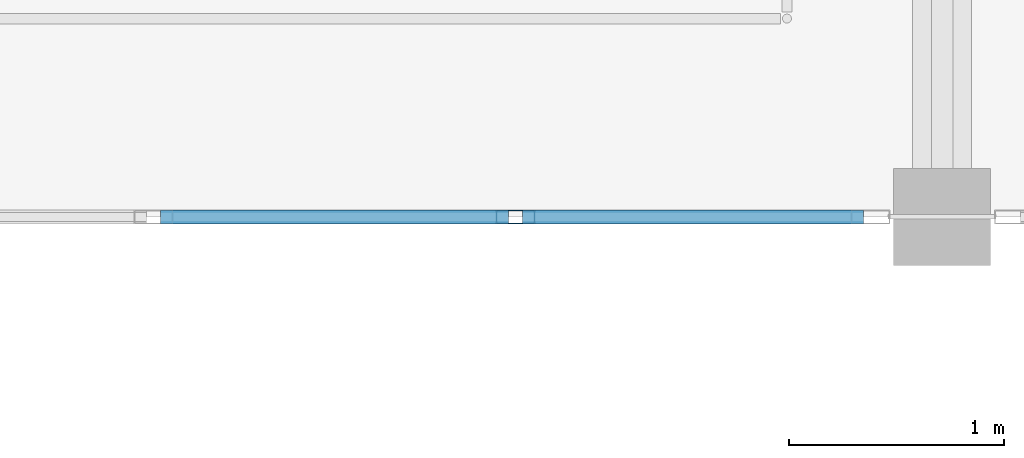
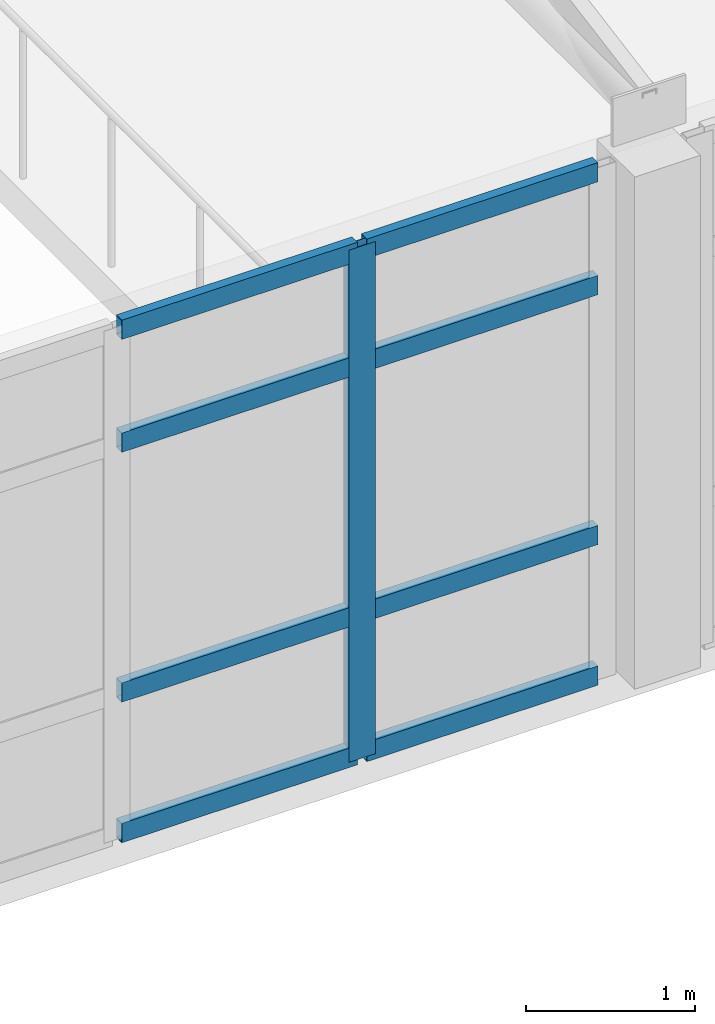
# One storey, part 92 of 156: 9 members, 1 element without a shape of its own.
"""IFC4 building model written with IfcOpenShell, lengths in metres."""

import ifcopenshell
import ifcopenshell.guid

model = None  # the IFC model being written
_history = None  # IfcOwnerHistory: only IFC2X3 demands one
_inside = {}  # id of a spatial element -> (the spatial element, [elements in it])
_under = {}  # id of a project, library or spatial element -> (it, [spatial elements below it])
_declared = {}  # id of a project -> (the project, [libraries it declares])
_typed = {}  # id of a type object -> (the type object, [elements of that type])
_made_of = {}  # id of a material, layer set ... -> (it, [elements and type objects made of it])


def new_model(schema):
    """Start an empty IFC model of exactly this schema.

    Asked for "IFC4X3", IfcOpenShell would pick the latest addendum, in which some entities
    have other attributes; the version numbers below select the first issue.
    IFC2X3 requires an IfcOwnerHistory on every rooted entity: one is made here for all.
    """
    global model, _history
    if schema == "IFC4X3":
        model = ifcopenshell.file(schema_version=(4, 3, 0, 0))
    else:
        model = ifcopenshell.file(schema=schema)
    _inside.clear()
    _under.clear()
    _declared.clear()
    _typed.clear()
    _made_of.clear()
    _history = None
    if model.schema == "IFC2X3":
        org = make("IfcOrganization", Name="unknown")
        user = make(
            "IfcPersonAndOrganization",
            ThePerson=make("IfcPerson", FamilyName="unknown"),
            TheOrganization=org,
        )
        app = make(
            "IfcApplication",
            ApplicationDeveloper=org,
            Version="unknown",
            ApplicationFullName="unknown",
            ApplicationIdentifier="unknown",
        )
        _history = make(
            "IfcOwnerHistory",
            OwningUser=user,
            OwningApplication=app,
            ChangeAction="ADDED",
            CreationDate=0,
        )
    return model


def make(cls, **values):
    """One entity of the class cls with the attributes given. An attribute that is None is left unset."""
    return model.create_entity(
        cls, **{name: value for name, value in values.items() if value is not None}
    )


def rooted(cls, **values):
    """An entity with a GlobalId (a new one), such as an element, a storey or a relation."""
    return make(cls, GlobalId=ifcopenshell.guid.new(), OwnerHistory=_history, **values)


def si_unit(unit_type, name, prefix=None):
    """IfcSIUnit, for example si_unit("LENGTHUNIT", "METRE", prefix="MILLI")."""
    return make("IfcSIUnit", UnitType=unit_type, Prefix=prefix, Name=name)


def assignment(units):
    """IfcUnitAssignment: the units of a project."""
    return None if units is None else make("IfcUnitAssignment", Units=units)


def point(xyz):
    """IfcCartesianPoint."""
    return None if xyz is None else make("IfcCartesianPoint", Coordinates=xyz)


def direction(xyz):
    """IfcDirection."""
    return None if xyz is None else make("IfcDirection", DirectionRatios=xyz)


def frame(location, z_axis=None, x_axis=None):
    """IfcAxis2Placement3D, a coordinate frame: its origin and axes. An axis left out is left unset."""
    return make(
        "IfcAxis2Placement3D",
        Location=point(location),
        Axis=direction(z_axis),
        RefDirection=direction(x_axis),
    )


def frame_2d(location, x_axis=None):
    """IfcAxis2Placement2D, a coordinate frame in the plane: its origin and x axis."""
    return make(
        "IfcAxis2Placement2D", Location=point(location), RefDirection=direction(x_axis)
    )


def origin():
    """The frame at (0, 0, 0) with its axes left unset."""
    return frame((0.0, 0.0, 0.0))


def origin_2d():
    """The frame at (0, 0) in the plane with its x axis left unset."""
    return frame_2d((0.0, 0.0))


def place(relative_to, where):
    """IfcLocalPlacement: puts the frame where relative to a parent placement (None: the world)."""
    return make(
        "IfcLocalPlacement", PlacementRelTo=relative_to, RelativePlacement=where
    )


def context(
    kind, dimensions, precision=None, world=None, true_north=None, identifier=None
):
    """IfcGeometricRepresentationContext, for example the 3D "Model" context."""
    return make(
        "IfcGeometricRepresentationContext",
        ContextIdentifier=identifier,
        ContextType=kind,
        CoordinateSpaceDimension=dimensions,
        Precision=precision,
        WorldCoordinateSystem=world,
        TrueNorth=true_north,
    )


def subcontext(parent, identifier, kind, view, scale=None):
    """IfcGeometricRepresentationSubContext, for example "Body" below "Model"."""
    return make(
        "IfcGeometricRepresentationSubContext",
        ContextIdentifier=identifier,
        ContextType=kind,
        ParentContext=parent,
        TargetScale=scale,
        TargetView=view,
    )


def project(units=None, contexts=None):
    """IfcProject with its units and contexts."""
    return rooted(
        "IfcProject",
        Name="project",
        RepresentationContexts=contexts,
        UnitsInContext=assignment(units),
    )


def spatial(cls, under=None, at=None, **own):
    """A site, building, storey or space (cls), placed at a placement, below another one or the project."""
    s = rooted(cls, ObjectPlacement=at, **own)
    if under is not None:
        _under.setdefault(under.id(), (under, []))[1].append(s)
    return s


def profile(cls, at=None, kind="AREA", **sizes):
    """A parametric profile (cls). Its sizes go by their IFC names, for example OverallWidth=200.0."""
    return make(cls, ProfileType=kind, Position=at, **sizes)


def hollow_rectangle(**sizes):
    """IfcRectangleHollowProfileDef."""
    return profile("IfcRectangleHollowProfileDef", **sizes)


def extrude(swept, where, along, depth):
    """IfcExtrudedAreaSolid: the profile swept, set in the frame where, extruded along a direction by depth."""
    return make(
        "IfcExtrudedAreaSolid",
        SweptArea=swept,
        Position=where,
        ExtrudedDirection=direction(along),
        Depth=depth,
    )


def shape(context_of_items, identifier, shape_type, items):
    """IfcShapeRepresentation: the items that make up one representation, for example the "Body"."""
    return make(
        "IfcShapeRepresentation",
        ContextOfItems=context_of_items,
        RepresentationIdentifier=identifier,
        RepresentationType=shape_type,
        Items=items,
    )


def material(Name=None, Category=None):
    """IfcMaterial."""
    return make("IfcMaterial", Name=Name, Category=Category)


def layer(
    of_material, thickness, ventilated=None, Name=None, Category=None, Priority=None
):
    """IfcMaterialLayer: one layer of a wall or slab, of a material (None: an air gap)."""
    return make(
        "IfcMaterialLayer",
        Material=of_material,
        LayerThickness=thickness,
        IsVentilated=ventilated,
        Name=Name,
        Category=Category,
        Priority=Priority,
    )


def layer_set(layers, Name=None):
    """IfcMaterialLayerSet."""
    return make("IfcMaterialLayerSet", MaterialLayers=layers, LayerSetName=Name)


def material_profile(
    of_material, cross_section, Name=None, Category=None, Priority=None
):
    """IfcMaterialProfile: a cross section and its material."""
    return make(
        "IfcMaterialProfile",
        Name=Name,
        Material=of_material,
        Profile=cross_section,
        Priority=Priority,
        Category=Category,
    )


def profile_set(profiles, Name=None, composite=None):
    """IfcMaterialProfileSet."""
    return make(
        "IfcMaterialProfileSet",
        Name=Name,
        MaterialProfiles=profiles,
        CompositeProfile=composite,
    )


def made_of(thing, what):
    """Note that an element or type object is made of a material, layer set ...; save() writes the relation."""
    if what is not None:
        _made_of.setdefault(what.id(), (what, []))[1].append(thing)
    return thing


def type_object(cls, material=None, **own):
    """A type object (cls), such as IfcWallType, which elements share."""
    return made_of(rooted(cls, **own), material)


def element(
    cls,
    number,
    at=None,
    inside=None,
    cuts=None,
    type_object=None,
    material=None,
    context=None,
    identifier="Body",
    shape_type=None,
    held_by="IfcProductDefinitionShape",
    body=None,
    shapes=None,
    **own,
):
    """One element of the class cls, such as IfcWall. Its Tag is "e" and its number.

    at: its placement. inside: the storey or other place that contains it. cuts: it is an
    opening in that element (IfcRelVoidsElement). A single representation is given by context,
    identifier, shape_type and body (its items); several are given by shapes. held_by: the class
    of the entity that holds the representations. save() writes the other relations.
    """
    e = rooted(cls, Tag="e%d" % number, ObjectPlacement=at, **own)
    if body is not None:
        shapes = [shape(context, identifier, shape_type, body)]
    if shapes is not None:
        e.Representation = make(held_by, Representations=shapes)
    if inside is not None:
        _inside.setdefault(inside.id(), (inside, []))[1].append(e)
    if cuts is not None:
        rooted(
            "IfcRelVoidsElement", RelatingBuildingElement=cuts, RelatedOpeningElement=e
        )
    if type_object is not None:
        _typed.setdefault(type_object.id(), (type_object, []))[1].append(e)
    return made_of(e, material)


def aggregate(whole, parts):
    """IfcRelAggregates: a whole, such as a stair, and the parts it consists of."""
    return rooted("IfcRelAggregates", RelatingObject=whole, RelatedObjects=parts)


def save(model, path):
    """Write the relations noted so far, then the file.

    IfcRelAggregates (storeys below a building ...), IfcRelContainedInSpatialStructure (elements
    in a storey), IfcRelDefinesByType, IfcRelAssociatesMaterial and IfcRelDeclares: one each for
    every whole, place, type object, material and project.
    """
    for whole, parts in _under.values():
        aggregate(whole, parts)
    for where, things in _inside.values():
        rooted(
            "IfcRelContainedInSpatialStructure",
            RelatedElements=things,
            RelatingStructure=where,
        )
    for kind, things in _typed.values():
        rooted("IfcRelDefinesByType", RelatedObjects=things, RelatingType=kind)
    for what, things in _made_of.values():
        rooted("IfcRelAssociatesMaterial", RelatedObjects=things, RelatingMaterial=what)
    for by, libraries in _declared.values():
        rooted("IfcRelDeclares", RelatingContext=by, RelatedDefinitions=libraries)
    model.write(path)


model = new_model("IFC4")

# Units and contexts
model_context = context("Model", 3, precision=1e-05, world=origin(), true_north=direction((0.0, 1.0)))
body_context = subcontext(model_context, "Body", "Model", "MODEL_VIEW")
ifc_project = project(units=[si_unit("LENGTHUNIT", "METRE"), si_unit("AREAUNIT", "SQUARE_METRE"), si_unit("VOLUMEUNIT", "CUBIC_METRE"), si_unit("PLANEANGLEUNIT", "RADIAN"), si_unit("MASSUNIT", "GRAM", prefix="KILO")], contexts=[model_context])

# Site, building, storey
site_placement = place(None, origin())
site = spatial("IfcSite", under=ifc_project, at=site_placement, CompositionType="ELEMENT")
building_placement = place(site_placement, origin())
building = spatial("IfcBuilding", under=site, at=building_placement, Name="Ornek Quay Market", CompositionType="ELEMENT")
storey_placement = place(building_placement, frame((0.0, 0.0, 4.5)))
storey = spatial("IfcBuildingStorey", under=building, at=storey_placement, Name="L01", CompositionType="ELEMENT", Elevation=4.5)

# Curtain wall, members
ifc_material_1 = material(Name="Anodised bronze aluminium and triple low-e glass", Category="aluminium")
ifc_layer = layer(ifc_material_1, 0.199951171875, Name="Anodised bronze aluminium and triple low-e glass", Category="aluminium")
ifc_layer_set = layer_set([ifc_layer], Name="Anodised bronze aluminium and triple low-e glass")
curtain_wall_type = type_object("IfcCurtainWallType", Name="CW-CONC-MOD1800", PredefinedType="USERDEFINED", material=ifc_layer_set)
curtain_wall_placement = place(storey_placement, origin())
curtain_wall = element("IfcCurtainWall", 1, at=curtain_wall_placement, inside=storey, type_object=curtain_wall_type, Name="Curtain wall CW-038", ObjectType="CURTAIN WALL", PredefinedType="USERDEFINED")
ifc_material_2 = material(Name="Anodised aluminium 6063-T6", Category="aluminium")
ifc_material_profile_1 = material_profile(ifc_material_2, hollow_rectangle(XDim=0.06494140625, YDim=0.179931640625, WallThickness=0.00439453125, at=origin_2d()), Name="CW-MUL-65x180", Category="aluminium")
ifc_profile_set_1 = profile_set([ifc_material_profile_1], Name="Anodised aluminium 6063-T6")
member_type_1 = type_object("IfcMemberType", Name="CW-MUL-65x180", PredefinedType="MULLION", material=ifc_profile_set_1)
member_1_placement = place(storey_placement, frame((142.02001953125, 92.0, 0.0), z_axis=(0.0, 0.0, 1.0), x_axis=(0.0, 1.0, 0.0)))
member_1 = element("IfcMember", 2, at=member_1_placement, type_object=member_type_1, Name="CW-038 mullion 5", PredefinedType="MULLION", context=body_context, shape_type="SweptSolid", body=[
    extrude(hollow_rectangle(XDim=0.06494140625, YDim=0.179931640625, WallThickness=0.00439453125, at=origin_2d()), origin(), (0.0, 0.0, 1.0), 3.7099609375),
])
ifc_material_profile_2 = material_profile(ifc_material_2, hollow_rectangle(XDim=0.06494140625, YDim=0.139892578125, WallThickness=0.00439453125, at=origin_2d()), Name="CW-TRN-65x140", Category="aluminium")
ifc_profile_set_2 = profile_set([ifc_material_profile_2], Name="Anodised aluminium 6063-T6")
member_type_2 = type_object("IfcMemberType", Name="CW-TRN-65x140", PredefinedType="USERDEFINED", material=ifc_profile_set_2)
member_2_placement = place(storey_placement, frame((140.37255859375, 92.0, 0.032470703125), z_axis=(1.0, 0.0, 0.0), x_axis=(0.0, 1.0, 0.0)))
member_2 = element("IfcMember", 3, at=member_2_placement, type_object=member_type_2, Name="CW-038 transom 4.1", ObjectType="TRANSOM", PredefinedType="USERDEFINED", context=body_context, shape_type="SweptSolid", body=[
    extrude(hollow_rectangle(XDim=0.06494140625, YDim=0.139892578125, WallThickness=0.00439453125, at=origin_2d()), origin(), (0.0, 0.0, 1.0), 1.614990234375),
])
member_3_placement = place(storey_placement, frame((140.37255859375, 92.0, 1.050048828125), z_axis=(1.0, 0.0, 0.0), x_axis=(0.0, 1.0, 0.0)))
member_3 = element("IfcMember", 4, at=member_3_placement, type_object=member_type_2, Name="CW-038 transom 4.2", ObjectType="TRANSOM", PredefinedType="USERDEFINED", context=body_context, shape_type="SweptSolid", body=[
    extrude(hollow_rectangle(XDim=0.06494140625, YDim=0.139892578125, WallThickness=0.00439453125, at=origin_2d()), origin(), (0.0, 0.0, 1.0), 1.614990234375),
])
member_4_placement = place(storey_placement, frame((140.37255859375, 92.0, 2.860107421875), z_axis=(1.0, 0.0, 0.0), x_axis=(0.0, 1.0, 0.0)))
member_4 = element("IfcMember", 5, at=member_4_placement, type_object=member_type_2, Name="CW-038 transom 4.3", ObjectType="TRANSOM", PredefinedType="USERDEFINED", context=body_context, shape_type="SweptSolid", body=[
    extrude(hollow_rectangle(XDim=0.06494140625, YDim=0.139892578125, WallThickness=0.00439453125, at=origin_2d()), origin(), (0.0, 0.0, 1.0), 1.614990234375),
])
member_5_placement = place(storey_placement, frame((140.37255859375, 92.0, 3.677490234375), z_axis=(1.0, 0.0, 0.0), x_axis=(0.0, 1.0, 0.0)))
member_5 = element("IfcMember", 6, at=member_5_placement, type_object=member_type_2, Name="CW-038 transom 4.4", ObjectType="TRANSOM", PredefinedType="USERDEFINED", context=body_context, shape_type="SweptSolid", body=[
    extrude(hollow_rectangle(XDim=0.06494140625, YDim=0.139892578125, WallThickness=0.00439453125, at=origin_2d()), origin(), (0.0, 0.0, 1.0), 1.614990234375),
])
member_6_placement = place(storey_placement, frame((142.052490234375, 92.0, 0.032470703125), z_axis=(1.0, 0.0, 0.0), x_axis=(0.0, 1.0, 0.0)))
member_6 = element("IfcMember", 7, at=member_6_placement, type_object=member_type_2, Name="CW-038 transom 5.1", ObjectType="TRANSOM", PredefinedType="USERDEFINED", context=body_context, shape_type="SweptSolid", body=[
    extrude(hollow_rectangle(XDim=0.06494140625, YDim=0.139892578125, WallThickness=0.00439453125, at=origin_2d()), origin(), (0.0, 0.0, 1.0), 1.58251953125),
])
member_7_placement = place(storey_placement, frame((142.052490234375, 92.0, 1.050048828125), z_axis=(1.0, 0.0, 0.0), x_axis=(0.0, 1.0, 0.0)))
member_7 = element("IfcMember", 8, at=member_7_placement, type_object=member_type_2, Name="CW-038 transom 5.2", ObjectType="TRANSOM", PredefinedType="USERDEFINED", context=body_context, shape_type="SweptSolid", body=[
    extrude(hollow_rectangle(XDim=0.06494140625, YDim=0.139892578125, WallThickness=0.00439453125, at=origin_2d()), origin(), (0.0, 0.0, 1.0), 1.58251953125),
])
member_8_placement = place(storey_placement, frame((142.052490234375, 92.0, 2.860107421875), z_axis=(1.0, 0.0, 0.0), x_axis=(0.0, 1.0, 0.0)))
member_8 = element("IfcMember", 9, at=member_8_placement, type_object=member_type_2, Name="CW-038 transom 5.3", ObjectType="TRANSOM", PredefinedType="USERDEFINED", context=body_context, shape_type="SweptSolid", body=[
    extrude(hollow_rectangle(XDim=0.06494140625, YDim=0.139892578125, WallThickness=0.00439453125, at=origin_2d()), origin(), (0.0, 0.0, 1.0), 1.58251953125),
])
member_9_placement = place(storey_placement, frame((142.052490234375, 92.0, 3.677490234375), z_axis=(1.0, 0.0, 0.0), x_axis=(0.0, 1.0, 0.0)))
member_9 = element("IfcMember", 10, at=member_9_placement, type_object=member_type_2, Name="CW-038 transom 5.4", ObjectType="TRANSOM", PredefinedType="USERDEFINED", context=body_context, shape_type="SweptSolid", body=[
    extrude(hollow_rectangle(XDim=0.06494140625, YDim=0.139892578125, WallThickness=0.00439453125, at=origin_2d()), origin(), (0.0, 0.0, 1.0), 1.58251953125),
])
aggregate(curtain_wall, [member_1, member_2, member_3, member_4, member_5, member_6, member_7, member_8, member_9])

save(model, "model.ifc")
